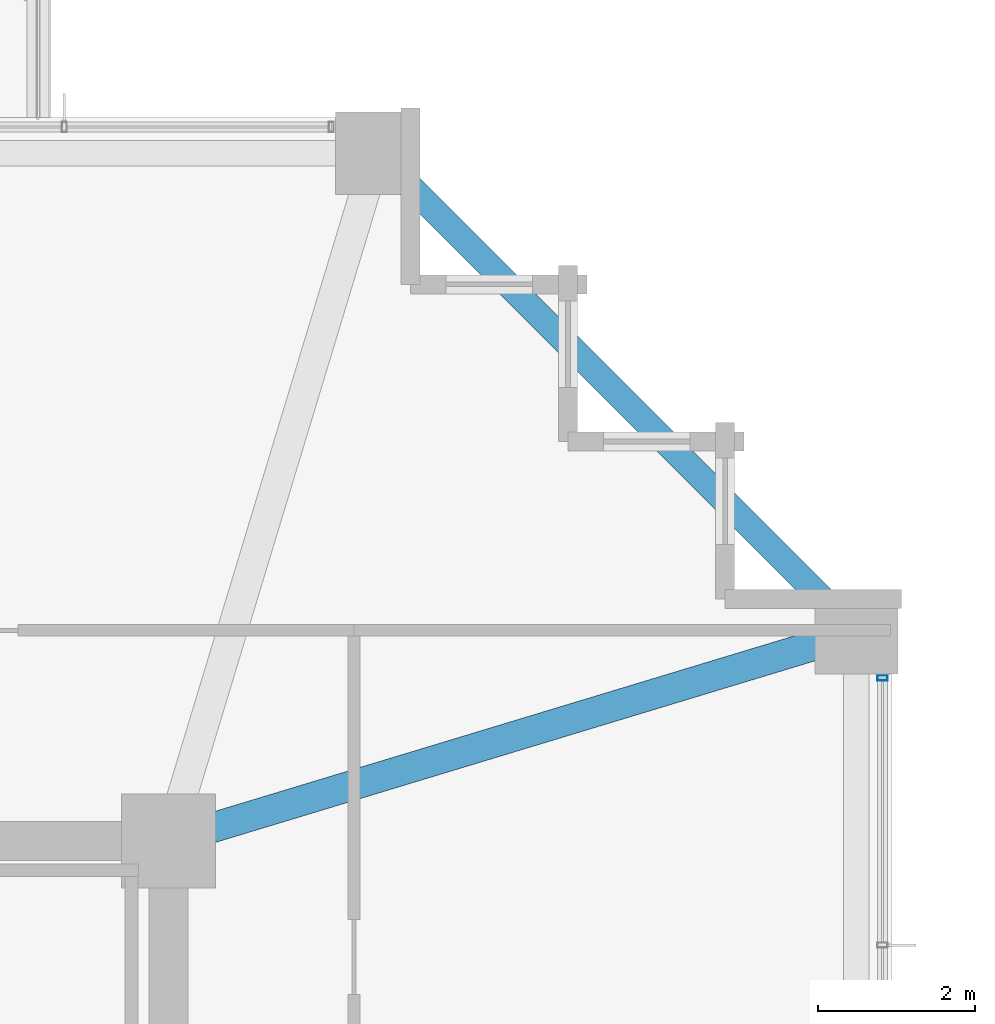
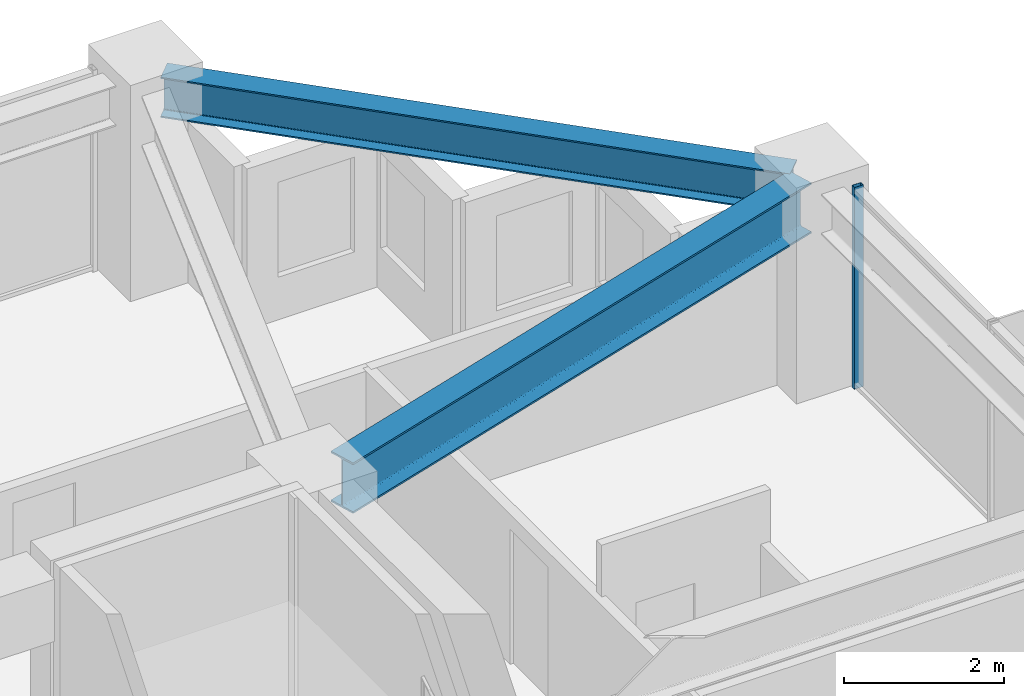
# One storey, part 19 of 31: 2 beams, 1 member, 1 element without a shape of its own.
"""IFC4 building model written with IfcOpenShell, lengths in metres."""

from ifc_helpers import new_model, si_unit, direction, frame, origin, origin_2d, place, context, subcontext, project, spatial, hollow_rectangle, i_section, extrude, material, material_profile, profile_set, type_object, element, aggregate, save


model = new_model("IFC4")

# Units and contexts
model_context = context("Model", 3, precision=1e-05, world=origin(), true_north=direction((0.0, 1.0)))
body_context = subcontext(model_context, "Body", "Model", "MODEL_VIEW")
ifc_project = project(units=[si_unit("LENGTHUNIT", "METRE"), si_unit("AREAUNIT", "SQUARE_METRE"), si_unit("VOLUMEUNIT", "CUBIC_METRE"), si_unit("PLANEANGLEUNIT", "RADIAN"), si_unit("MASSUNIT", "GRAM", prefix="KILO")], contexts=[model_context])

# Site, building, storey
site_placement = place(None, origin())
site = spatial("IfcSite", under=ifc_project, at=site_placement, CompositionType="ELEMENT")
building_placement = place(site_placement, origin())
building = spatial("IfcBuilding", under=site, at=building_placement, Name="Kolvaren Belvedere", CompositionType="ELEMENT")
storey_placement = place(building_placement, frame((0.0, 0.0, 118.39990234375)))
storey = spatial("IfcBuildingStorey", under=building, at=storey_placement, Name="L34", CompositionType="ELEMENT", Elevation=118.39990234375)

# Beams
ifc_material_1 = material(Name="Structural steel ASTM A992 Grade 50", Category="steel")
ifc_material_profile_1 = material_profile(ifc_material_1, i_section(OverallWidth=0.381103515625, OverallDepth=0.77294921875, WebThickness=0.0166015625, FlangeThickness=0.027099609375, FilletRadius=0.02392578125, at=origin_2d()), Name="W30X173")
ifc_profile_set_1 = profile_set([ifc_material_profile_1], Name="Structural steel ASTM A992 Grade 50")
beam_type_1 = type_object("IfcBeamType", Name="BM-GIRD-W30X173", PredefinedType="BEAM", material=ifc_profile_set_1)
beam_1_placement = place(storey_placement, frame((10.426513671875, 10.059326171875, 2.693603515625), z_axis=(0.957069465398, 0.289858652454, 0.0), x_axis=(-0.289858652454, 0.957069465398, 0.0)))
element("IfcBeam", 1, at=beam_1_placement, inside=storey, type_object=beam_type_1, Name="L34 Corner Core-to-Perimeter Girder CC3-E4", PredefinedType="BEAM", context=body_context, shape_type="SweptSolid", body=[
    extrude(i_section(OverallWidth=0.381103515625, OverallDepth=0.77294921875, WebThickness=0.0166015625, FlangeThickness=0.027099609375, FilletRadius=0.02392578125, at=origin_2d()), origin(), (0.0, 0.0, 1.0), 8.38232421875),
])
ifc_material_2 = material(Name="Structural steel ASTM A992 Grade 50", Category="steel")
ifc_material_profile_2 = material_profile(ifc_material_2, i_section(OverallWidth=0.324951171875, OverallDepth=0.615966796875, WebThickness=0.013916015625, FlangeThickness=0.021484375, FilletRadius=0.02001953125, at=origin_2d()), Name="W24X117")
ifc_profile_set_2 = profile_set([ifc_material_profile_2], Name="Structural steel ASTM A992 Grade 50")
beam_type_2 = type_object("IfcBeamType", Name="BM-SPAN-W24X117", PredefinedType="SPANDREL", material=ifc_profile_set_2)
beam_2_placement = place(storey_placement, frame((18.48291015625, 12.717041015625, 2.772216796875), z_axis=(-0.707106781187, 0.707106781187, 0.0), x_axis=(-0.707106781187, -0.707106781187, 0.0)))
element("IfcBeam", 2, at=beam_2_placement, inside=storey, type_object=beam_type_2, Name="L34 Perimeter Spandrel E4-N4", PredefinedType="SPANDREL", context=body_context, shape_type="SweptSolid", body=[
    extrude(i_section(OverallWidth=0.324951171875, OverallDepth=0.615966796875, WebThickness=0.013916015625, FlangeThickness=0.021484375, FilletRadius=0.02001953125, at=origin_2d()), origin(), (0.0, 0.0, 1.0), 8.154052734375),
])

# Curtain wall, member
ifc_material_3 = material(Name="Anodised pale-metal aluminium AA 6063-T6", Category="aluminium")
curtain_wall_type = type_object("IfcCurtainWallType", Name="CW-Z3-WAIST", PredefinedType="NOTDEFINED", material=ifc_material_3)
curtain_wall_placement = place(storey_placement, origin())
curtain_wall = element("IfcCurtainWall", 3, at=curtain_wall_placement, inside=storey, type_object=curtain_wall_type, Name="L34 Unitised Curtain Wall FCW-L34-E-B1", PredefinedType="NOTDEFINED")
ifc_material_4 = material(Name="Anodised pale-metal aluminium AA 6063-T6", Category="aluminium")
ifc_material_profile_3 = material_profile(ifc_material_4, hollow_rectangle(XDim=0.06494140625, YDim=0.1298828125, WallThickness=0.00390625, at=origin_2d()), Name="ALU-MUL-130X65")
ifc_profile_set_3 = profile_set([ifc_material_profile_3], Name="Anodised pale-metal aluminium AA 6063-T6")
member_type = type_object("IfcMemberType", Name="CW-MUL-130", PredefinedType="MULLION", material=ifc_profile_set_3)
member_placement = place(storey_placement, frame((18.97998046875, 11.972412109375, 0.0), z_axis=(0.0, 0.0, 1.0), x_axis=(0.0, 1.0, 0.0)))
member = element("IfcMember", 4, at=member_placement, type_object=member_type, Name="FCW-L34-E-B1 Unitised Mullion 1", PredefinedType="MULLION", context=body_context, shape_type="SweptSolid", body=[
    extrude(hollow_rectangle(XDim=0.06494140625, YDim=0.1298828125, WallThickness=0.00390625, at=origin_2d()), origin(), (0.0, 0.0, 1.0), 3.080078125),
])
aggregate(curtain_wall, [member])

save(model, "model.ifc")
